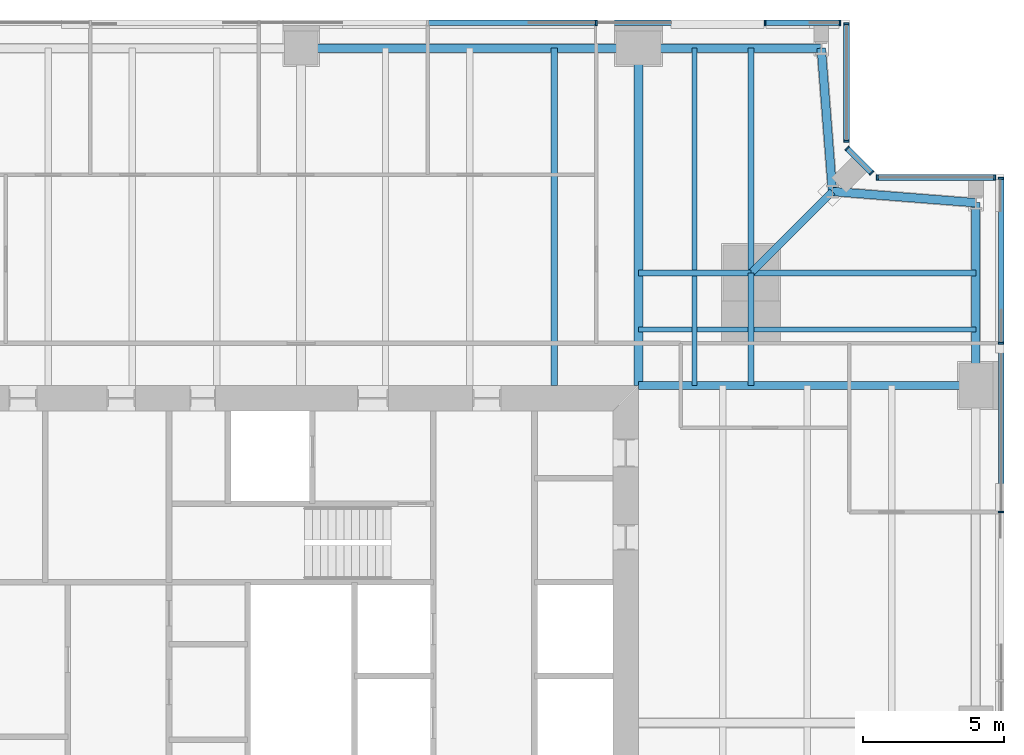
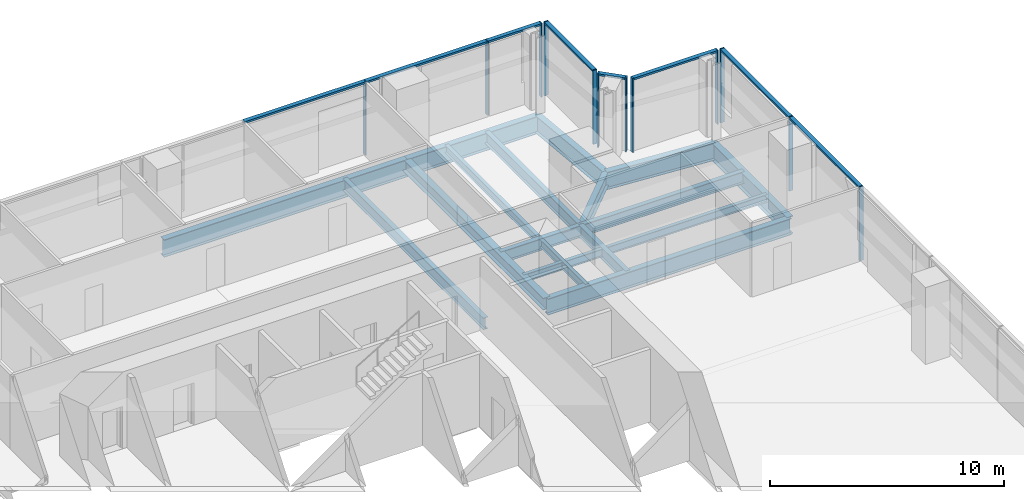
# One storey, part 7 of 14: 20 members, 18 beams, 5 elements without a shape of their own.
"""IFC4 building model written with IfcOpenShell, lengths in metres."""

from ifc_helpers import new_model, si_unit, direction, frame, origin, origin_2d, place, context, subcontext, project, spatial, rectangle, i_section, extrude, material, material_profile, profile_set, type_object, element, aggregate, save


model = new_model("IFC4")

# Units and contexts
model_context = context("Model", 3, precision=1e-05, world=origin(), true_north=direction((0.0, 1.0)))
body_context = subcontext(model_context, "Body", "Model", "MODEL_VIEW")
ifc_project = project(units=[si_unit("LENGTHUNIT", "METRE"), si_unit("AREAUNIT", "SQUARE_METRE"), si_unit("VOLUMEUNIT", "CUBIC_METRE"), si_unit("PLANEANGLEUNIT", "RADIAN"), si_unit("MASSUNIT", "GRAM", prefix="KILO")], contexts=[model_context])

# Site, building, storey
site_placement = place(None, origin())
site = spatial("IfcSite", under=ifc_project, at=site_placement, CompositionType="ELEMENT")
building_placement = place(site_placement, origin())
building = spatial("IfcBuilding", under=site, at=building_placement, Name="Fenwick Lantern Interchange", CompositionType="ELEMENT")
storey_placement = place(building_placement, frame((0.0, 0.0, 189.800048828125)))
storey = spatial("IfcBuildingStorey", under=building, at=storey_placement, Name="L44", CompositionType="ELEMENT", Elevation=189.800048828125)

# Beams
ifc_material_1 = material(Name="Steel ASTM A992 Grade 50", Category="steel")
ifc_material_profile_1 = material_profile(ifc_material_1, i_section(OverallWidth=0.3046875, OverallDepth=0.911865234375, WebThickness=0.015869140625, FlangeThickness=0.02392578125, at=origin_2d()), Name="W36X150")
ifc_profile_set_1 = profile_set([ifc_material_profile_1], Name="Steel ASTM A992 Grade 50")
beam_type_1 = type_object("IfcBeamType", Name="EDGE BEAM W36X150", PredefinedType="SPANDREL", material=ifc_profile_set_1)
beam_1_placement = place(storey_placement, frame((49.0, 37.0, -0.60595703125), z_axis=(0.0, 1.0, 0.0), x_axis=(-1.0, 0.0, 0.0)))
element("IfcBeam", 1, at=beam_1_placement, inside=storey, type_object=beam_type_1, Name="L44/FR/E/EB4", PredefinedType="SPANDREL", context=body_context, shape_type="SweptSolid", body=[
    extrude(i_section(OverallWidth=0.3046875, OverallDepth=0.911865234375, WebThickness=0.015869140625, FlangeThickness=0.02392578125, at=origin_2d()), origin(), (0.0, 0.0, 1.0), 6.5),
])
for number, where, z_axis, x_axis, name in (
    (2, (49.0, 43.5, -0.60595703125), (-0.99693998236, 0.078170784639, 0.0), (-0.078170784639, -0.99693998236, 0.0), "L44/FR/E/EBR1"),
    (3, (43.89990234375, 43.89990234375, -0.60595703125), (-0.078170784639, 0.99693998236, 0.0), (-0.99693998236, -0.078170784639, 0.0), "L44/FR/E/EBR2"),
):
    element("IfcBeam", number, at=place(storey_placement, frame(where, z_axis=z_axis, x_axis=x_axis)), inside=storey, type_object=beam_type_1, Name=name, PredefinedType="SPANDREL", context=body_context, shape_type="SweptSolid", body=[
        extrude(i_section(OverallWidth=0.3046875, OverallDepth=0.911865234375, WebThickness=0.015869140625, FlangeThickness=0.02392578125, at=origin_2d()), origin(), (0.0, 0.0, 1.0), 5.11572265625),
    ])
beam_2_placement = place(storey_placement, frame((43.5, 49.0, -0.60595703125), z_axis=(-1.0, 0.0, 0.0), x_axis=(0.0, -1.0, 0.0)))
element("IfcBeam", 4, at=beam_2_placement, inside=storey, type_object=beam_type_1, Name="L44/FR/N/EB1", PredefinedType="SPANDREL", context=body_context, shape_type="SweptSolid", body=[
    extrude(i_section(OverallWidth=0.3046875, OverallDepth=0.911865234375, WebThickness=0.015869140625, FlangeThickness=0.02392578125, at=origin_2d()), origin(), (0.0, 0.0, 1.0), 6.5),
])
beam_3_placement = place(storey_placement, frame((37.0, 49.0, -0.60595703125), z_axis=(-1.0, 0.0, 0.0), x_axis=(0.0, -1.0, 0.0)))
element("IfcBeam", 5, at=beam_3_placement, inside=storey, type_object=beam_type_1, Name="L44/FR/N/EB2", PredefinedType="SPANDREL", context=body_context, shape_type="SweptSolid", body=[
    extrude(i_section(OverallWidth=0.3046875, OverallDepth=0.911865234375, WebThickness=0.015869140625, FlangeThickness=0.02392578125, at=origin_2d()), origin(), (0.0, 0.0, 1.0), 12.0),
])
ifc_material_profile_2 = material_profile(ifc_material_1, i_section(OverallWidth=0.22900390625, OverallDepth=0.612060546875, WebThickness=0.011962890625, FlangeThickness=0.01953125, at=origin_2d()), Name="W24X84")
ifc_profile_set_2 = profile_set([ifc_material_profile_2], Name="Steel ASTM A992 Grade 50")
beam_type_2 = type_object("IfcBeamType", Name="FLOOR BEAM W24X84", PredefinedType="BEAM", material=ifc_profile_set_2)
beam_4_placement = place(storey_placement, frame((34.0, 49.0, -0.4560546875), z_axis=(0.0, -1.0, 0.0), x_axis=(1.0, 0.0, 0.0)))
element("IfcBeam", 6, at=beam_4_placement, inside=storey, type_object=beam_type_2, Name="L44/FR/N/R02", PredefinedType="BEAM", context=body_context, shape_type="SweptSolid", body=[
    extrude(i_section(OverallWidth=0.22900390625, OverallDepth=0.612060546875, WebThickness=0.011962890625, FlangeThickness=0.01953125, at=origin_2d()), origin(), (0.0, 0.0, 1.0), 12.0),
])
ifc_material_profile_3 = material_profile(ifc_material_1, i_section(OverallWidth=0.177734375, OverallDepth=0.406494140625, WebThickness=0.0078125, FlangeThickness=0.012939453125, at=origin_2d()), Name="W16X40")
ifc_profile_set_3 = profile_set([ifc_material_profile_3], Name="Steel ASTM A992 Grade 50")
beam_type_3 = type_object("IfcBeamType", Name="INFILL BEAM W16X40", PredefinedType="JOIST", material=ifc_profile_set_3)
beam_5_placement = place(storey_placement, frame((39.0, 49.0, -0.353271484375), z_axis=(0.0, -1.0, 0.0), x_axis=(1.0, 0.0, 0.0)))
element("IfcBeam", 7, at=beam_5_placement, inside=storey, type_object=beam_type_3, Name="L44/FR/N/J1", PredefinedType="JOIST", context=body_context, shape_type="SweptSolid", body=[
    extrude(i_section(OverallWidth=0.177734375, OverallDepth=0.406494140625, WebThickness=0.0078125, FlangeThickness=0.012939453125, at=origin_2d()), origin(), (0.0, 0.0, 1.0), 7.885498046875),
])
beam_6_placement = place(storey_placement, frame((39.0, 40.885498046875, -0.353271484375), z_axis=(0.0, -1.0, 0.0), x_axis=(1.0, 0.0, 0.0)))
element("IfcBeam", 8, at=beam_6_placement, inside=storey, type_object=beam_type_3, Name="L44/FR/N/J2", PredefinedType="JOIST", context=body_context, shape_type="SweptSolid", body=[
    extrude(i_section(OverallWidth=0.177734375, OverallDepth=0.406494140625, WebThickness=0.0078125, FlangeThickness=0.012939453125, at=origin_2d()), origin(), (0.0, 0.0, 1.0), 3.885498046875),
])
beam_7_placement = place(storey_placement, frame((49.0, 39.0, -0.353271484375), z_axis=(-1.0, 0.0, 0.0), x_axis=(0.0, -1.0, 0.0)))
element("IfcBeam", 9, at=beam_7_placement, inside=storey, type_object=beam_type_3, Name="L44/FR/N/J3", PredefinedType="JOIST", context=body_context, shape_type="SweptSolid", body=[
    extrude(i_section(OverallWidth=0.177734375, OverallDepth=0.406494140625, WebThickness=0.0078125, FlangeThickness=0.012939453125, at=origin_2d()), origin(), (0.0, 0.0, 1.0), 7.885498046875),
])
beam_8_placement = place(storey_placement, frame((40.885498046875, 39.0, -0.353271484375), z_axis=(-1.0, 0.0, 0.0), x_axis=(0.0, -1.0, 0.0)))
element("IfcBeam", 10, at=beam_8_placement, inside=storey, type_object=beam_type_3, Name="L44/FR/N/J4", PredefinedType="JOIST", context=body_context, shape_type="SweptSolid", body=[
    extrude(i_section(OverallWidth=0.177734375, OverallDepth=0.406494140625, WebThickness=0.0078125, FlangeThickness=0.012939453125, at=origin_2d()), origin(), (0.0, 0.0, 1.0), 1.796630859375),
])
beam_9_placement = place(storey_placement, frame((38.9111328125, 39.0, -0.353271484375), z_axis=(-1.0, 0.0, 0.0), x_axis=(0.0, -1.0, 0.0)))
element("IfcBeam", 11, at=beam_9_placement, inside=storey, type_object=beam_type_3, Name="L44/FR/N/J5", PredefinedType="JOIST", context=body_context, shape_type="SweptSolid", body=[
    extrude(i_section(OverallWidth=0.177734375, OverallDepth=0.406494140625, WebThickness=0.0078125, FlangeThickness=0.012939453125, at=origin_2d()), origin(), (0.0, 0.0, 1.0), 1.9111328125),
])
ifc_material_profile_4 = material_profile(ifc_material_1, i_section(OverallWidth=0.22900390625, OverallDepth=0.612060546875, WebThickness=0.011962890625, FlangeThickness=0.01953125, at=origin_2d()), Name="W24X84")
ifc_profile_set_4 = profile_set([ifc_material_profile_4], Name="Steel ASTM A992 Grade 50")
beam_type_4 = type_object("IfcBeamType", Name="MEGA COLUMN BEAM W24X84", PredefinedType="BEAM", material=ifc_profile_set_4)
for number, where, z_axis, x_axis, name in (
    (12, (41.0, 41.0, -0.4560546875), (0.0, 1.0, 0.0), (-1.0, 0.0, 0.0), "L44/FR/N/MB1"),
    (13, (41.0, 41.0, -0.4560546875), (1.0, 0.0, 0.0), (0.0, 1.0, 0.0), "L44/FR/N/MB2"),
):
    element("IfcBeam", number, at=place(storey_placement, frame(where, z_axis=z_axis, x_axis=x_axis)), inside=storey, type_object=beam_type_4, Name=name, PredefinedType="BEAM", context=body_context, shape_type="SweptSolid", body=[
        extrude(i_section(OverallWidth=0.22900390625, OverallDepth=0.612060546875, WebThickness=0.011962890625, FlangeThickness=0.01953125, at=origin_2d()), origin(), (0.0, 0.0, 1.0), 8.0),
    ])
for number, where, z_axis, x_axis, name in (
    (14, (41.0, 41.0, -0.4560546875), (-1.0, 0.0, 0.0), (0.0, -1.0, 0.0), "L44/FR/N/MB3"),
    (15, (41.0, 41.0, -0.4560546875), (0.0, -1.0, 0.0), (1.0, 0.0, 0.0), "L44/FR/N/MB4"),
):
    element("IfcBeam", number, at=place(storey_placement, frame(where, z_axis=z_axis, x_axis=x_axis)), inside=storey, type_object=beam_type_4, Name=name, PredefinedType="BEAM", context=body_context, shape_type="SweptSolid", body=[
        extrude(i_section(OverallWidth=0.22900390625, OverallDepth=0.612060546875, WebThickness=0.011962890625, FlangeThickness=0.01953125, at=origin_2d()), origin(), (0.0, 0.0, 1.0), 4.0),
    ])
ifc_material_profile_5 = material_profile(ifc_material_1, i_section(OverallWidth=0.32763671875, OverallDepth=0.622314453125, WebThickness=0.015380859375, FlangeThickness=0.0244140625, at=origin_2d()), Name="W24X131")
ifc_profile_set_5 = profile_set([ifc_material_profile_5], Name="Steel ASTM A992 Grade 50")
beam_type_5 = type_object("IfcBeamType", Name="MOMENT-CONNECTED GIRDER W24X131", PredefinedType="BEAM", material=ifc_profile_set_5)
beam_10_placement = place(storey_placement, frame((37.0, 49.0, -0.461181640625), z_axis=(0.0, -1.0, 0.0), x_axis=(1.0, 0.0, 0.0)))
element("IfcBeam", 16, at=beam_10_placement, inside=storey, type_object=beam_type_5, Name="L44/FR/N/R01", PredefinedType="BEAM", context=body_context, shape_type="SweptSolid", body=[
    extrude(i_section(OverallWidth=0.32763671875, OverallDepth=0.622314453125, WebThickness=0.015380859375, FlangeThickness=0.0244140625, at=origin_2d()), origin(), (0.0, 0.0, 1.0), 12.0),
])
ifc_material_profile_6 = material_profile(ifc_material_1, i_section(OverallWidth=0.2919921875, OverallDepth=0.845703125, WebThickness=0.015380859375, FlangeThickness=0.0244140625, at=origin_2d()), Name="W33X141")
ifc_profile_set_6 = profile_set([ifc_material_profile_6], Name="Steel ASTM A992 Grade 50")
beam_type_6 = type_object("IfcBeamType", Name="MOMENT-CONNECTED GIRDER W33X141", PredefinedType="BEAM", material=ifc_profile_set_6)
beam_11_placement = place(storey_placement, frame((49.0, 37.0, -0.572998046875), z_axis=(-1.0, 0.0, 0.0), x_axis=(0.0, -1.0, 0.0)))
element("IfcBeam", 17, at=beam_11_placement, inside=storey, type_object=beam_type_6, Name="L44/FR/E/R03", PredefinedType="BEAM", context=body_context, shape_type="SweptSolid", body=[
    extrude(i_section(OverallWidth=0.2919921875, OverallDepth=0.845703125, WebThickness=0.015380859375, FlangeThickness=0.0244140625, at=origin_2d()), origin(), (0.0, 0.0, 1.0), 12.0),
])
ifc_material_profile_7 = material_profile(ifc_material_1, i_section(OverallWidth=0.2666015625, OverallDepth=0.7568359375, WebThickness=0.013916015625, FlangeThickness=0.019287109375, at=origin_2d()), Name="W30X108")
ifc_profile_set_7 = profile_set([ifc_material_profile_7], Name="Steel ASTM A992 Grade 50")
beam_type_7 = type_object("IfcBeamType", Name="NOTCH BEAM W30X108", PredefinedType="BEAM", material=ifc_profile_set_7)
beam_12_placement = place(storey_placement, frame((41.0, 41.0, -0.528564453125), z_axis=(0.707106781187, 0.707106781187, 0.0), x_axis=(-0.707106781187, 0.707106781187, 0.0)))
element("IfcBeam", 18, at=beam_12_placement, inside=storey, type_object=beam_type_7, Name="L44/FR/N/TG", PredefinedType="BEAM", context=body_context, shape_type="SweptSolid", body=[
    extrude(i_section(OverallWidth=0.2666015625, OverallDepth=0.7568359375, WebThickness=0.013916015625, FlangeThickness=0.019287109375, at=origin_2d()), origin(), (0.0, 0.0, 1.0), 4.10107421875),
])

# Curtain wall, members
ifc_material_2 = material(Name="Aluminium curtain wall frame", Category="aluminium")
curtain_wall_type = type_object("IfcCurtainWallType", Name="OFFICE CURTAIN WALL", PredefinedType="USERDEFINED", material=ifc_material_2)
curtain_wall_1_placement = place(storey_placement, origin())
curtain_wall_1 = element("IfcCurtainWall", 19, at=curtain_wall_1_placement, inside=storey, type_object=curtain_wall_type, Name="Office curtain wall 05", ObjectType="OFFICE CURTAIN WALL", PredefinedType="USERDEFINED")
ifc_material_3 = material(Name="Aluminium extrusion", Category="aluminium")
ifc_material_profile_8 = material_profile(ifc_material_3, rectangle(XDim=0.199951171875, YDim=0.06494140625, at=origin_2d()), Name="OFFICE CURTAIN WALL MULLION 65 X 200")
ifc_profile_set_8 = profile_set([ifc_material_profile_8], Name="Aluminium extrusion")
member_type_1 = type_object("IfcMemberType", Name="OFFICE CURTAIN WALL MULLION 65 X 200", PredefinedType="MULLION", material=ifc_profile_set_8)
member_1_placement = place(storey_placement, frame((49.89990234375, 32.5, 0.0), z_axis=(0.0, 0.0, 1.0), x_axis=(-1.0, 0.0, 0.0)))
member_1 = element("IfcMember", 20, at=member_1_placement, type_object=member_type_1, Name="L44/CW/05/M05", PredefinedType="MULLION", context=body_context, shape_type="SweptSolid", body=[
    extrude(rectangle(XDim=0.199951171875, YDim=0.06494140625, at=origin_2d()), origin(), (0.0, 0.0, 1.0), 3.849853515625),
])
member_2_placement = place(storey_placement, frame((49.89990234375, 38.5, 0.0), z_axis=(0.0, 0.0, 1.0), x_axis=(-1.0, 0.0, 0.0)))
member_2 = element("IfcMember", 21, at=member_2_placement, type_object=member_type_1, Name="L44/CW/05/M06", PredefinedType="MULLION", context=body_context, shape_type="SweptSolid", body=[
    extrude(rectangle(XDim=0.199951171875, YDim=0.06494140625, at=origin_2d()), origin(), (0.0, 0.0, 1.0), 3.849853515625),
])
member_3_placement = place(storey_placement, frame((49.89990234375, 44.367431640625, 0.0), z_axis=(0.0, 0.0, 1.0), x_axis=(-1.0, 0.0, 0.0)))
member_3 = element("IfcMember", 22, at=member_3_placement, type_object=member_type_1, Name="L44/CW/05/M07", PredefinedType="MULLION", context=body_context, shape_type="SweptSolid", body=[
    extrude(rectangle(XDim=0.199951171875, YDim=0.06494140625, at=origin_2d()), origin(), (0.0, 0.0, 1.0), 3.849853515625),
])

curtain_wall_2_placement = place(storey_placement, origin())
curtain_wall_2 = element("IfcCurtainWall", 23, at=curtain_wall_2_placement, inside=storey, type_object=curtain_wall_type, Name="Office curtain wall 06", ObjectType="OFFICE CURTAIN WALL", PredefinedType="USERDEFINED")
member_4_placement = place(storey_placement, frame((49.66748046875, 44.39990234375, 0.0), z_axis=(0.0, 0.0, 1.0), x_axis=(0.0, -1.0, 0.0)))
member_4 = element("IfcMember", 24, at=member_4_placement, type_object=member_type_1, Name="L44/CW/06/M00", PredefinedType="MULLION", context=body_context, shape_type="SweptSolid", body=[
    extrude(rectangle(XDim=0.199951171875, YDim=0.06494140625, at=origin_2d()), origin(), (0.0, 0.0, 1.0), 3.849853515625),
])
member_5_placement = place(storey_placement, frame((45.490966796875, 44.39990234375, 0.0), z_axis=(0.0, 0.0, 1.0), x_axis=(0.0, -1.0, 0.0)))
member_5 = element("IfcMember", 25, at=member_5_placement, type_object=member_type_1, Name="L44/CW/06/M01", PredefinedType="MULLION", context=body_context, shape_type="SweptSolid", body=[
    extrude(rectangle(XDim=0.199951171875, YDim=0.06494140625, at=origin_2d()), origin(), (0.0, 0.0, 1.0), 3.849853515625),
])

curtain_wall_3_placement = place(storey_placement, origin())
curtain_wall_3 = element("IfcCurtainWall", 26, at=curtain_wall_3_placement, inside=storey, type_object=curtain_wall_type, Name="Office curtain wall 07", ObjectType="OFFICE CURTAIN WALL", PredefinedType="USERDEFINED")
member_6_placement = place(storey_placement, frame((45.294189453125, 44.564453125, 0.0), z_axis=(0.0, 0.0, 1.0), x_axis=(-0.707106781187, -0.707106781187, 0.0)))
member_6 = element("IfcMember", 27, at=member_6_placement, type_object=member_type_1, Name="L44/CW/07/M00", PredefinedType="MULLION", context=body_context, shape_type="SweptSolid", body=[
    extrude(rectangle(XDim=0.199951171875, YDim=0.06494140625, at=origin_2d()), origin(), (0.0, 0.0, 1.0), 3.849853515625),
])
member_7_placement = place(storey_placement, frame((44.423095703125, 45.435546875, 0.0), z_axis=(0.0, 0.0, 1.0), x_axis=(-0.707106781187, -0.707106781187, 0.0)))
member_7 = element("IfcMember", 28, at=member_7_placement, type_object=member_type_1, Name="L44/CW/07/M01", PredefinedType="MULLION", context=body_context, shape_type="SweptSolid", body=[
    extrude(rectangle(XDim=0.199951171875, YDim=0.06494140625, at=origin_2d()), origin(), (0.0, 0.0, 1.0), 3.849853515625),
])

curtain_wall_4_placement = place(storey_placement, origin())
curtain_wall_4 = element("IfcCurtainWall", 29, at=curtain_wall_4_placement, inside=storey, type_object=curtain_wall_type, Name="Office curtain wall 08", ObjectType="OFFICE CURTAIN WALL", PredefinedType="USERDEFINED")
member_8_placement = place(storey_placement, frame((44.39990234375, 45.691162109375, 0.0), z_axis=(0.0, 0.0, 1.0), x_axis=(-1.0, 0.0, 0.0)))
member_8 = element("IfcMember", 30, at=member_8_placement, type_object=member_type_1, Name="L44/CW/08/M00", PredefinedType="MULLION", context=body_context, shape_type="SweptSolid", body=[
    extrude(rectangle(XDim=0.199951171875, YDim=0.06494140625, at=origin_2d()), origin(), (0.0, 0.0, 1.0), 3.849853515625),
])
member_9_placement = place(storey_placement, frame((44.39990234375, 49.867431640625, 0.0), z_axis=(0.0, 0.0, 1.0), x_axis=(-1.0, 0.0, 0.0)))
member_9 = element("IfcMember", 31, at=member_9_placement, type_object=member_type_1, Name="L44/CW/08/M01", PredefinedType="MULLION", context=body_context, shape_type="SweptSolid", body=[
    extrude(rectangle(XDim=0.199951171875, YDim=0.06494140625, at=origin_2d()), origin(), (0.0, 0.0, 1.0), 3.849853515625),
])

curtain_wall_5_placement = place(storey_placement, origin())
curtain_wall_5 = element("IfcCurtainWall", 32, at=curtain_wall_5_placement, inside=storey, type_object=curtain_wall_type, Name="Office curtain wall 09", ObjectType="OFFICE CURTAIN WALL", PredefinedType="USERDEFINED")
member_10_placement = place(storey_placement, frame((44.16748046875, 49.89990234375, 0.0), z_axis=(0.0, 0.0, 1.0), x_axis=(0.0, -1.0, 0.0)))
member_10 = element("IfcMember", 33, at=member_10_placement, type_object=member_type_1, Name="L44/CW/09/M00", PredefinedType="MULLION", context=body_context, shape_type="SweptSolid", body=[
    extrude(rectangle(XDim=0.199951171875, YDim=0.06494140625, at=origin_2d()), origin(), (0.0, 0.0, 1.0), 3.849853515625),
])
member_11_placement = place(storey_placement, frame((41.5, 49.89990234375, 0.0), z_axis=(0.0, 0.0, 1.0), x_axis=(0.0, -1.0, 0.0)))
member_11 = element("IfcMember", 34, at=member_11_placement, type_object=member_type_1, Name="L44/CW/09/M01", PredefinedType="MULLION", context=body_context, shape_type="SweptSolid", body=[
    extrude(rectangle(XDim=0.199951171875, YDim=0.06494140625, at=origin_2d()), origin(), (0.0, 0.0, 1.0), 3.849853515625),
])
member_12_placement = place(storey_placement, frame((35.5, 49.89990234375, 0.0), z_axis=(0.0, 0.0, 1.0), x_axis=(0.0, -1.0, 0.0)))
member_12 = element("IfcMember", 35, at=member_12_placement, type_object=member_type_1, Name="L44/CW/09/M02", PredefinedType="MULLION", context=body_context, shape_type="SweptSolid", body=[
    extrude(rectangle(XDim=0.199951171875, YDim=0.06494140625, at=origin_2d()), origin(), (0.0, 0.0, 1.0), 3.849853515625),
])

# Member
ifc_material_profile_9 = material_profile(ifc_material_3, rectangle(XDim=0.199951171875, YDim=0.10009765625, at=origin_2d()), Name="OFFICE CURTAIN WALL TRANSOM 100 X 200")
ifc_profile_set_9 = profile_set([ifc_material_profile_9], Name="Aluminium extrusion")
member_type_2 = type_object("IfcMemberType", Name="OFFICE CURTAIN WALL TRANSOM 100 X 200", PredefinedType="MULLION", material=ifc_profile_set_9)
member_13_placement = place(storey_placement, frame((49.89990234375, 32.532470703125, 3.800048828125), z_axis=(0.0, 1.0, 0.0), x_axis=(-1.0, 0.0, 0.0)))
member_13 = element("IfcMember", 36, at=member_13_placement, type_object=member_type_2, Name="L44/CW/05/T05", PredefinedType="MULLION", context=body_context, shape_type="SweptSolid", body=[
    extrude(rectangle(XDim=0.199951171875, YDim=0.10009765625, at=origin_2d()), origin(), (0.0, 0.0, 1.0), 5.93505859375),
])

member_14_placement = place(storey_placement, frame((49.89990234375, 38.532470703125, 3.800048828125), z_axis=(0.0, 1.0, 0.0), x_axis=(-1.0, 0.0, 0.0)))
member_14 = element("IfcMember", 37, at=member_14_placement, type_object=member_type_2, Name="L44/CW/05/T06", PredefinedType="MULLION", context=body_context, shape_type="SweptSolid", body=[
    extrude(rectangle(XDim=0.199951171875, YDim=0.10009765625, at=origin_2d()), origin(), (0.0, 0.0, 1.0), 5.802490234375),
])

aggregate(curtain_wall_1, [member_1, member_2, member_3, member_13, member_14])

member_15_placement = place(storey_placement, frame((49.635009765625, 44.39990234375, 3.800048828125), z_axis=(-1.0, 0.0, 0.0), x_axis=(0.0, -1.0, 0.0)))
member_15 = element("IfcMember", 38, at=member_15_placement, type_object=member_type_2, Name="L44/CW/06/T00", PredefinedType="MULLION", context=body_context, shape_type="SweptSolid", body=[
    extrude(rectangle(XDim=0.199951171875, YDim=0.10009765625, at=origin_2d()), origin(), (0.0, 0.0, 1.0), 4.111328125),
])

aggregate(curtain_wall_2, [member_4, member_5, member_15])

member_16_placement = place(storey_placement, frame((45.271240234375, 44.58740234375, 3.800048828125), z_axis=(-0.707106781187, 0.707106781187, 0.0), x_axis=(-0.707106781187, -0.707106781187, 0.0)))
member_16 = element("IfcMember", 39, at=member_16_placement, type_object=member_type_2, Name="L44/CW/07/T00", PredefinedType="MULLION", context=body_context, shape_type="SweptSolid", body=[
    extrude(rectangle(XDim=0.199951171875, YDim=0.10009765625, at=origin_2d()), origin(), (0.0, 0.0, 1.0), 1.1669921875),
])

aggregate(curtain_wall_3, [member_6, member_7, member_16])

member_17_placement = place(storey_placement, frame((44.39990234375, 45.7236328125, 3.800048828125), z_axis=(0.0, 1.0, 0.0), x_axis=(-1.0, 0.0, 0.0)))
member_17 = element("IfcMember", 40, at=member_17_placement, type_object=member_type_2, Name="L44/CW/08/T00", PredefinedType="MULLION", context=body_context, shape_type="SweptSolid", body=[
    extrude(rectangle(XDim=0.199951171875, YDim=0.10009765625, at=origin_2d()), origin(), (0.0, 0.0, 1.0), 4.111328125),
])

aggregate(curtain_wall_4, [member_8, member_9, member_17])

member_18_placement = place(storey_placement, frame((44.135009765625, 49.89990234375, 3.800048828125), z_axis=(-1.0, 0.0, 0.0), x_axis=(0.0, -1.0, 0.0)))
member_18 = element("IfcMember", 41, at=member_18_placement, type_object=member_type_2, Name="L44/CW/09/T00", PredefinedType="MULLION", context=body_context, shape_type="SweptSolid", body=[
    extrude(rectangle(XDim=0.199951171875, YDim=0.10009765625, at=origin_2d()), origin(), (0.0, 0.0, 1.0), 2.6025390625),
])

member_19_placement = place(storey_placement, frame((41.467529296875, 49.89990234375, 3.800048828125), z_axis=(-1.0, 0.0, 0.0), x_axis=(0.0, -1.0, 0.0)))
member_19 = element("IfcMember", 42, at=member_19_placement, type_object=member_type_2, Name="L44/CW/09/T01", PredefinedType="MULLION", context=body_context, shape_type="SweptSolid", body=[
    extrude(rectangle(XDim=0.199951171875, YDim=0.10009765625, at=origin_2d()), origin(), (0.0, 0.0, 1.0), 5.93505859375),
])

member_20_placement = place(storey_placement, frame((35.467529296875, 49.89990234375, 3.800048828125), z_axis=(-1.0, 0.0, 0.0), x_axis=(0.0, -1.0, 0.0)))
member_20 = element("IfcMember", 43, at=member_20_placement, type_object=member_type_2, Name="L44/CW/09/T02", PredefinedType="MULLION", context=body_context, shape_type="SweptSolid", body=[
    extrude(rectangle(XDim=0.199951171875, YDim=0.10009765625, at=origin_2d()), origin(), (0.0, 0.0, 1.0), 5.93505859375),
])

aggregate(curtain_wall_5, [member_10, member_11, member_12, member_18, member_19, member_20])

save(model, "model.ifc")
